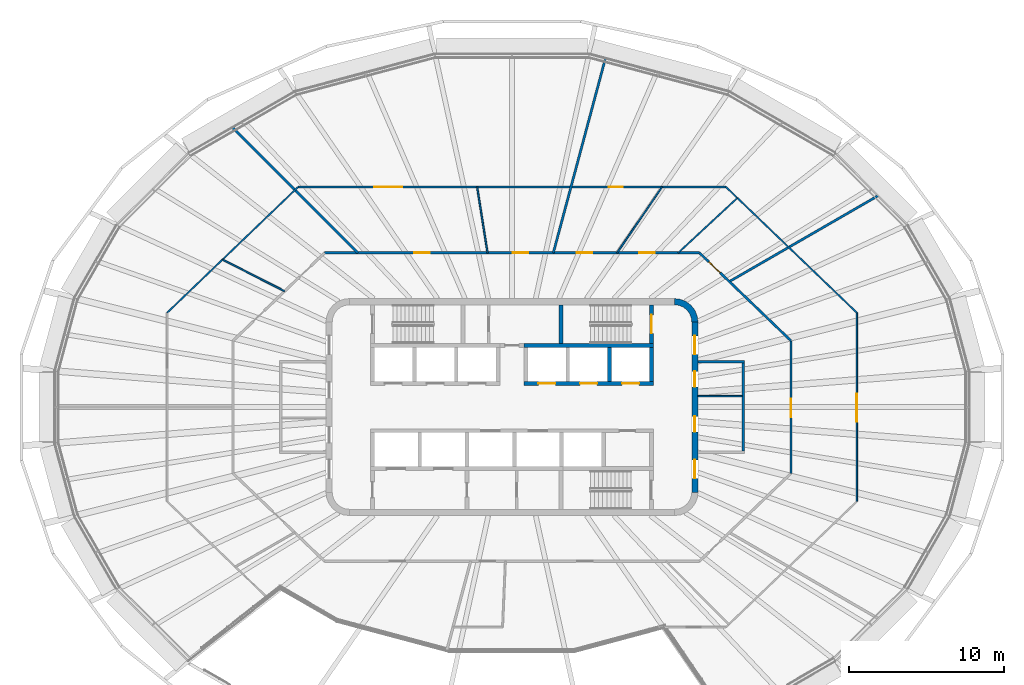
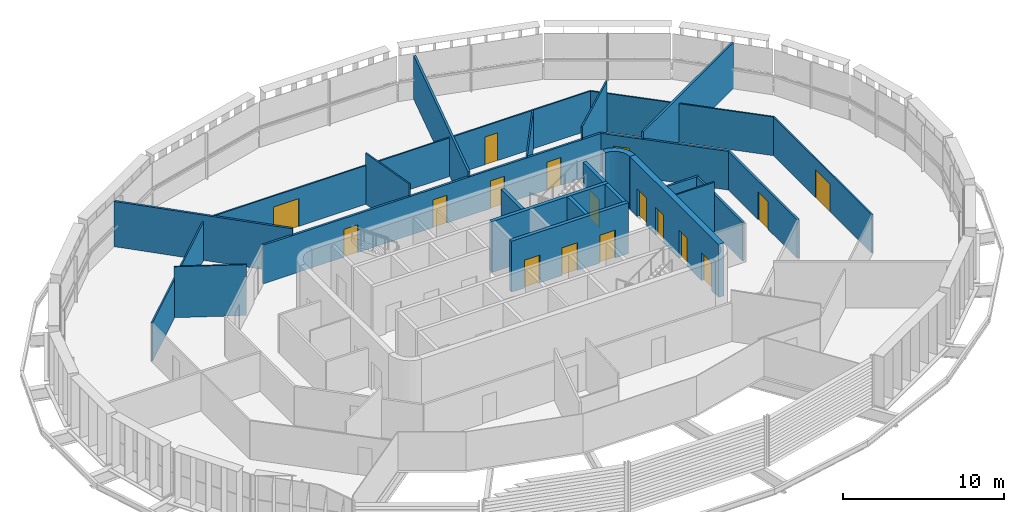
# One storey, part 12 of 19: 25 walls, 17 doors, 17 openings.
"""IFC4 building model written with IfcOpenShell, lengths in metres."""

from ifc_helpers import new_model, si_unit, direction, frame, frame_2d, origin, place, context, subcontext, project, spatial, polyline, rectangle, outline, extrude, material, layer, layer_set, type_object, element, fill, save


model = new_model("IFC4")

# Units and contexts
model_context = context("Model", 3, precision=1e-05, world=origin(), true_north=direction((0.0, 1.0)))
body_context = subcontext(model_context, "Body", "Model", "MODEL_VIEW")
ifc_project = project(units=[si_unit("LENGTHUNIT", "METRE"), si_unit("AREAUNIT", "SQUARE_METRE"), si_unit("VOLUMEUNIT", "CUBIC_METRE"), si_unit("PLANEANGLEUNIT", "RADIAN"), si_unit("MASSUNIT", "GRAM", prefix="KILO")], contexts=[model_context])

# Site, building, storey
site_placement = place(None, origin())
site = spatial("IfcSite", under=ifc_project, at=site_placement, CompositionType="ELEMENT")
building_placement = place(site_placement, origin())
building = spatial("IfcBuilding", under=site, at=building_placement, Name="Sahrelin Media Tower", CompositionType="ELEMENT")
storey_placement = place(building_placement, frame((0.0, 0.0, 275.0)))
storey = spatial("IfcBuildingStorey", under=building, at=storey_placement, Name="L60", CompositionType="ELEMENT", Elevation=275.0)

# Wall, openings, doors
ifc_material_1 = material(Name="Concrete C60/75", Category="concrete")
ifc_layer_1 = layer(ifc_material_1, 0.39990234375)
ifc_layer_set_1 = layer_set([ifc_layer_1], Name="Core wall 400")
wall_type_1 = type_object("IfcWallType", Name="Core wall 400", PredefinedType="SHEAR", material=ifc_layer_set_1)
wall_1_placement = place(storey_placement, frame((11.800048828125, -5.5, 0.0), z_axis=(0.0, 0.0, 1.0), x_axis=(0.0, 1.0, 0.0)))
wall_1 = element("IfcWall", 1, at=wall_1_placement, inside=storey, type_object=wall_type_1, Name="Core wall E L60", PredefinedType="SHEAR", context=body_context, shape_type="SweptSolid", body=[
    extrude(rectangle(XDim=11.0, YDim=0.39990234375, at=frame_2d((5.5, 0.0))), origin(), (0.0, 0.0, 1.0), 4.0),
])
opening_1_placement = place(wall_1_placement, frame((3.89990234375, 0.0, 0.0)))
opening_1 = element("IfcOpeningElement", 2, at=opening_1_placement, cuts=wall_1, Name="Opening L60-D12", PredefinedType="OPENING", context=body_context, shape_type="SweptSolid", body=[
    extrude(rectangle(XDim=1.0, YDim=2.10009765625, at=frame_2d((0.5, 1.050048828125))), frame((0.0, 0.199951171875, 0.0), z_axis=(0.0, -1.0, 0.0), x_axis=(1.0, 0.0, 0.0)), (0.0, 0.0, 1.0), 0.39990234375),
])
opening_2_placement = place(wall_1_placement, frame((6.800048828125, 0.0, 0.0)))
opening_2 = element("IfcOpeningElement", 3, at=opening_2_placement, cuts=wall_1, Name="Opening L60-D13", PredefinedType="OPENING", context=body_context, shape_type="SweptSolid", body=[
    extrude(rectangle(XDim=1.0, YDim=2.10009765625, at=frame_2d((0.5, 1.050048828125))), frame((0.0, 0.199951171875, 0.0), z_axis=(0.0, -1.0, 0.0), x_axis=(1.0, 0.0, 0.0)), (0.0, 0.0, 1.0), 0.39990234375),
])
opening_3_placement = place(wall_1_placement, frame((0.89990234375, 0.0, 0.0)))
opening_3 = element("IfcOpeningElement", 4, at=opening_3_placement, cuts=wall_1, Name="Opening L60-D16", PredefinedType="OPENING", context=body_context, shape_type="SweptSolid", body=[
    extrude(rectangle(XDim=1.199951171875, YDim=2.10009765625, at=frame_2d((0.60009765625, 1.050048828125))), frame((0.0, 0.199951171875, 0.0), z_axis=(0.0, -1.0, 0.0), x_axis=(1.0, 0.0, 0.0)), (0.0, 0.0, 1.0), 0.39990234375),
])
opening_4_placement = place(wall_1_placement, frame((8.89990234375, 0.0, 0.0)))
opening_4 = element("IfcOpeningElement", 5, at=opening_4_placement, cuts=wall_1, Name="Opening L60-D17", PredefinedType="OPENING", context=body_context, shape_type="SweptSolid", body=[
    extrude(rectangle(XDim=1.199951171875, YDim=2.10009765625, at=frame_2d((0.60009765625, 1.050048828125))), frame((0.0, 0.199951171875, 0.0), z_axis=(0.0, -1.0, 0.0), x_axis=(1.0, 0.0, 0.0)), (0.0, 0.0, 1.0), 0.39990234375),
])
ifc_material_2 = material(Name="Steel fire door leaf", Category="steel")
door_type_1 = type_object("IfcDoorType", Name="Fire door 1000 x 2100 EI 60", OperationType="NOTDEFINED", PredefinedType="DOOR", material=ifc_material_2)
door_1_placement = place(opening_1_placement, origin())
door_1 = element("IfcDoor", 6, at=door_1_placement, inside=storey, type_object=door_type_1, Name="Core room door", OperationType="SINGLE_SWING_RIGHT", OverallHeight=2.10009765625, OverallWidth=1.0, PredefinedType="DOOR", context=body_context, shape_type="SweptSolid", body=[
    extrude(rectangle(XDim=1.0, YDim=2.10009765625, at=frame_2d((0.5, 1.050048828125))), frame((0.0, 0.02490234375, 0.0), z_axis=(0.0, -1.0, 0.0), x_axis=(1.0, 0.0, 0.0)), (0.0, 0.0, 1.0), 0.050048828125),
])
fill(opening_1, door_1)
door_2_placement = place(opening_2_placement, origin())
door_2 = element("IfcDoor", 7, at=door_2_placement, inside=storey, type_object=door_type_1, Name="Core room door", OperationType="SINGLE_SWING_RIGHT", OverallHeight=2.10009765625, OverallWidth=1.0, PredefinedType="DOOR", context=body_context, shape_type="SweptSolid", body=[
    extrude(rectangle(XDim=1.0, YDim=2.10009765625, at=frame_2d((0.5, 1.050048828125))), frame((0.0, 0.02490234375, 0.0), z_axis=(0.0, -1.0, 0.0), x_axis=(1.0, 0.0, 0.0)), (0.0, 0.0, 1.0), 0.050048828125),
])
fill(opening_2, door_2)
door_type_2 = type_object("IfcDoorType", Name="Lobby door 1200 x 2100 EI 60", OperationType="NOTDEFINED", PredefinedType="DOOR", material=ifc_material_2)
door_3_placement = place(opening_3_placement, origin())
door_3 = element("IfcDoor", 8, at=door_3_placement, inside=storey, type_object=door_type_2, Name="Lobby door", OperationType="SINGLE_SWING_LEFT", OverallHeight=2.10009765625, OverallWidth=1.199951171875, PredefinedType="DOOR", context=body_context, shape_type="SweptSolid", body=[
    extrude(rectangle(XDim=1.199951171875, YDim=2.10009765625, at=frame_2d((0.60009765625, 1.050048828125))), frame((0.0, 0.02490234375, 0.0), z_axis=(0.0, -1.0, 0.0), x_axis=(1.0, 0.0, 0.0)), (0.0, 0.0, 1.0), 0.050048828125),
])
fill(opening_3, door_3)
door_4_placement = place(opening_4_placement, origin())
door_4 = element("IfcDoor", 9, at=door_4_placement, inside=storey, type_object=door_type_2, Name="Lobby door", OperationType="SINGLE_SWING_LEFT", OverallHeight=2.10009765625, OverallWidth=1.199951171875, PredefinedType="DOOR", context=body_context, shape_type="SweptSolid", body=[
    extrude(rectangle(XDim=1.199951171875, YDim=2.10009765625, at=frame_2d((0.60009765625, 1.050048828125))), frame((0.0, 0.02490234375, 0.0), z_axis=(0.0, -1.0, 0.0), x_axis=(1.0, 0.0, 0.0)), (0.0, 0.0, 1.0), 0.050048828125),
])
fill(opening_4, door_4)

# Walls
wall_2_placement = place(storey_placement, origin())
element("IfcWall", 10, at=wall_2_placement, inside=storey, type_object=wall_type_1, Name="Core wall corner NE L60", PredefinedType="SHEAR", context=body_context, shape_type="SweptSolid", body=[
    extrude(outline(polyline([(10.5, 7.0), (10.5, 6.596435546875), (10.78369140625, 6.55908203125), (11.04833984375, 6.44970703125), (11.275390625, 6.275390625), (11.44970703125, 6.04833984375), (11.55908203125, 5.78369140625), (11.596435546875, 5.5), (12.0, 5.5), (11.948974609375, 5.88818359375), (11.799072265625, 6.25), (11.560791015625, 6.560791015625), (11.25, 6.799072265625), (10.88818359375, 6.948974609375), (10.5, 7.0)])), origin(), (0.0, 0.0, 1.0), 4.0),
])
ifc_material_3 = material(Name="Fire-rated gypsum board partition")
ifc_layer_2 = layer(ifc_material_3, 0.10009765625)
ifc_layer_set_2 = layer_set([ifc_layer_2], Name="Fire-rated partition 100")
wall_type_2 = type_object("IfcWallType", Name="Fire-rated partition 100", PredefinedType="PARTITIONING", material=ifc_layer_set_2)
wall_3_placement = place(storey_placement, frame((12.0, 0.699951171875, 0.0), z_axis=(0.0, 0.0, 1.0), x_axis=(1.0, 0.0, 0.0)))
element("IfcWall", 11, at=wall_3_placement, inside=storey, type_object=wall_type_2, Name="Core room partition", PredefinedType="PARTITIONING", context=body_context, shape_type="SweptSolid", body=[
    extrude(rectangle(XDim=2.85009765625, YDim=0.10009765625, at=frame_2d((1.425048828125, 0.0))), origin(), (0.0, 0.0, 1.0), 3.85009765625),
])
ifc_layer_3 = layer(ifc_material_3, 0.14990234375)
ifc_layer_set_3 = layer_set([ifc_layer_3], Name="Fire-rated partition 150")
wall_type_3 = type_object("IfcWallType", Name="Fire-rated partition 150", PredefinedType="PARTITIONING", material=ifc_layer_set_3)
wall_4_placement = place(storey_placement, frame((14.925048828125, -2.85009765625, 0.0), z_axis=(0.0, 0.0, 1.0), x_axis=(0.0, 1.0, 0.0)))
element("IfcWall", 12, at=wall_4_placement, inside=storey, type_object=wall_type_3, Name="Core room fire partition", PredefinedType="PARTITIONING", context=body_context, shape_type="SweptSolid", body=[
    extrude(rectangle(XDim=5.7001953125, YDim=0.14990234375, at=frame_2d((2.85009765625, 0.0))), origin(), (0.0, 0.0, 1.0), 2.918212890625),
])
wall_5_placement = place(storey_placement, frame((12.0, 2.925048828125, 0.0), z_axis=(0.0, 0.0, 1.0), x_axis=(1.0, 0.0, 0.0)))
element("IfcWall", 13, at=wall_5_placement, inside=storey, type_object=wall_type_3, Name="Core room fire partition", PredefinedType="PARTITIONING", context=body_context, shape_type="SweptSolid", body=[
    extrude(rectangle(XDim=3.0, YDim=0.14990234375, at=frame_2d((1.5, 0.0))), origin(), (0.0, 0.0, 1.0), 2.927001953125),
])
wall_6_placement = place(storey_placement, frame((-18.0400390625, 18.0400390625, 0.0), z_axis=(0.0, 0.0, 1.0), x_axis=(0.707106781187, -0.707106781187, 0.0)))
element("IfcWall", 14, at=wall_6_placement, inside=storey, type_object=wall_type_3, Name="Wall", PredefinedType="PARTITIONING", context=body_context, shape_type="SweptSolid", body=[
    extrude(rectangle(XDim=11.4423828125, YDim=0.14990234375, at=frame_2d((5.72119140625, 0.0))), origin(), (0.0, 0.0, 1.0), 3.423583984375),
])

# Wall, opening, door
wall_7_placement = place(storey_placement, frame((12.094970703125, 9.948974609375, 0.0), z_axis=(0.0, 0.0, 1.0), x_axis=(0.721290181137, -0.692633001376, 0.0)))
wall_7 = element("IfcWall", 15, at=wall_7_placement, inside=storey, type_object=wall_type_3, Name="Wall", PredefinedType="PARTITIONING", context=body_context, shape_type="SweptSolid", body=[
    extrude(rectangle(XDim=8.18701171875, YDim=0.14990234375, at=frame_2d((4.093505859375, 0.0))), origin(), (0.0, 0.0, 1.0), 2.927001953125),
])
opening_5_placement = place(wall_7_placement, frame((0.83837890625, 0.0, 0.0)))
opening_5 = element("IfcOpeningElement", 16, at=opening_5_placement, cuts=wall_7, Name="Opening L60-D27", PredefinedType="OPENING", context=body_context, shape_type="SweptSolid", body=[
    extrude(rectangle(XDim=1.0, YDim=2.10009765625, at=frame_2d((0.5, 1.050048828125))), frame((0.0, 0.074951171875, 0.0), z_axis=(0.0, -1.0, 0.0), x_axis=(1.0, 0.0, 0.0)), (0.0, 0.0, 1.0), 0.14990234375),
])
door_5_placement = place(opening_5_placement, origin())
door_5 = element("IfcDoor", 17, at=door_5_placement, inside=storey, type_object=door_type_1, Name="Fire door", OperationType="SINGLE_SWING_RIGHT", OverallHeight=2.10009765625, OverallWidth=1.0, PredefinedType="DOOR", context=body_context, shape_type="SweptSolid", body=[
    extrude(rectangle(XDim=1.0, YDim=2.10009765625, at=frame_2d((0.5, 1.050048828125))), frame((0.0, 0.02490234375, 0.0), z_axis=(0.0, -1.0, 0.0), x_axis=(1.0, 0.0, 0.0)), (0.0, 0.0, 1.0), 0.050048828125),
])
fill(opening_5, door_5)

# Wall, openings, doors
wall_8_placement = place(storey_placement, frame((-12.094970703125, 9.948974609375, 0.0), z_axis=(0.0, 0.0, 1.0), x_axis=(1.0, 0.0, 0.0)))
wall_8 = element("IfcWall", 18, at=wall_8_placement, inside=storey, type_object=wall_type_3, Name="Wall", PredefinedType="PARTITIONING", context=body_context, shape_type="SweptSolid", body=[
    extrude(rectangle(XDim=24.18994140625, YDim=0.14990234375, at=frame_2d((12.094970703125, 0.0))), origin(), (0.0, 0.0, 1.0), 2.927001953125),
])
opening_6_placement = place(wall_8_placement, frame((20.296875, 0.0, 0.0)))
opening_6 = element("IfcOpeningElement", 19, at=opening_6_placement, cuts=wall_8, Name="Opening L60-D28", PredefinedType="OPENING", context=body_context, shape_type="SweptSolid", body=[
    extrude(rectangle(XDim=1.0, YDim=2.10009765625, at=frame_2d((0.5, 1.050048828125))), frame((0.0, 0.074951171875, 0.0), z_axis=(0.0, -1.0, 0.0), x_axis=(1.0, 0.0, 0.0)), (0.0, 0.0, 1.0), 0.14990234375),
])
opening_7_placement = place(wall_8_placement, frame((16.26904296875, 0.0, 0.0)))
opening_7 = element("IfcOpeningElement", 20, at=opening_7_placement, cuts=wall_8, Name="Opening L60-D29", PredefinedType="OPENING", context=body_context, shape_type="SweptSolid", body=[
    extrude(rectangle(XDim=1.0, YDim=2.10009765625, at=frame_2d((0.5, 1.050048828125))), frame((0.0, 0.074951171875, 0.0), z_axis=(0.0, -1.0, 0.0), x_axis=(1.0, 0.0, 0.0)), (0.0, 0.0, 1.0), 0.14990234375),
])
opening_8_placement = place(wall_8_placement, frame((12.139892578125, 0.0, 0.0)))
opening_8 = element("IfcOpeningElement", 21, at=opening_8_placement, cuts=wall_8, Name="Opening L60-D31", PredefinedType="OPENING", context=body_context, shape_type="SweptSolid", body=[
    extrude(rectangle(XDim=1.0, YDim=2.10009765625, at=frame_2d((0.5, 1.050048828125))), frame((0.0, 0.074951171875, 0.0), z_axis=(0.0, -1.0, 0.0), x_axis=(1.0, 0.0, 0.0)), (0.0, 0.0, 1.0), 0.14990234375),
])
opening_9_placement = place(wall_8_placement, frame((5.781982421875, 0.0, 0.0)))
opening_9 = element("IfcOpeningElement", 22, at=opening_9_placement, cuts=wall_8, Name="Opening L60-D32", PredefinedType="OPENING", context=body_context, shape_type="SweptSolid", body=[
    extrude(rectangle(XDim=1.0, YDim=2.10009765625, at=frame_2d((0.5, 1.050048828125))), frame((0.0, 0.074951171875, 0.0), z_axis=(0.0, -1.0, 0.0), x_axis=(1.0, 0.0, 0.0)), (0.0, 0.0, 1.0), 0.14990234375),
])
door_6_placement = place(opening_6_placement, origin())
door_6 = element("IfcDoor", 23, at=door_6_placement, inside=storey, type_object=door_type_1, Name="Fire door", OperationType="SINGLE_SWING_LEFT", OverallHeight=2.10009765625, OverallWidth=1.0, PredefinedType="DOOR", context=body_context, shape_type="SweptSolid", body=[
    extrude(rectangle(XDim=1.0, YDim=2.10009765625, at=frame_2d((0.5, 1.050048828125))), frame((0.0, 0.02490234375, 0.0), z_axis=(0.0, -1.0, 0.0), x_axis=(1.0, 0.0, 0.0)), (0.0, 0.0, 1.0), 0.050048828125),
])
fill(opening_6, door_6)
door_7_placement = place(opening_7_placement, origin())
door_7 = element("IfcDoor", 24, at=door_7_placement, inside=storey, type_object=door_type_1, Name="Fire door", OperationType="SINGLE_SWING_LEFT", OverallHeight=2.10009765625, OverallWidth=1.0, PredefinedType="DOOR", context=body_context, shape_type="SweptSolid", body=[
    extrude(rectangle(XDim=1.0, YDim=2.10009765625, at=frame_2d((0.5, 1.050048828125))), frame((0.0, 0.02490234375, 0.0), z_axis=(0.0, -1.0, 0.0), x_axis=(1.0, 0.0, 0.0)), (0.0, 0.0, 1.0), 0.050048828125),
])
fill(opening_7, door_7)
door_8_placement = place(opening_8_placement, origin())
door_8 = element("IfcDoor", 25, at=door_8_placement, inside=storey, type_object=door_type_1, Name="Fire door", OperationType="SINGLE_SWING_LEFT", OverallHeight=2.10009765625, OverallWidth=1.0, PredefinedType="DOOR", context=body_context, shape_type="SweptSolid", body=[
    extrude(rectangle(XDim=1.0, YDim=2.10009765625, at=frame_2d((0.5, 1.050048828125))), frame((0.0, 0.02490234375, 0.0), z_axis=(0.0, -1.0, 0.0), x_axis=(1.0, 0.0, 0.0)), (0.0, 0.0, 1.0), 0.050048828125),
])
fill(opening_8, door_8)
door_9_placement = place(opening_9_placement, origin())
door_9 = element("IfcDoor", 26, at=door_9_placement, inside=storey, type_object=door_type_1, Name="Fire door", OperationType="SINGLE_SWING_LEFT", OverallHeight=2.10009765625, OverallWidth=1.0, PredefinedType="DOOR", context=body_context, shape_type="SweptSolid", body=[
    extrude(rectangle(XDim=1.0, YDim=2.10009765625, at=frame_2d((0.5, 1.050048828125))), frame((0.0, 0.02490234375, 0.0), z_axis=(0.0, -1.0, 0.0), x_axis=(1.0, 0.0, 0.0)), (0.0, 0.0, 1.0), 0.050048828125),
])
fill(opening_9, door_9)

# Walls
wall_9_placement = place(storey_placement, frame((14.02392578125, 8.096923828125, 0.0), z_axis=(0.0, 0.0, 1.0), x_axis=(0.866044269757, 0.499967321754, 0.0)))
element("IfcWall", 27, at=wall_9_placement, inside=storey, type_object=wall_type_3, Name="Wall", PredefinedType="PARTITIONING", context=body_context, shape_type="SweptSolid", body=[
    extrude(rectangle(XDim=11.104736328125, YDim=0.14990234375, at=frame_2d((5.55224609375, 0.0))), origin(), (0.0, 0.0, 1.0), 3.47509765625),
])
wall_10_placement = place(storey_placement, frame((2.666015625, 9.948974609375, 0.0), z_axis=(0.0, 0.0, 1.0), x_axis=(0.258770502435, 0.96593883195, 0.0)))
element("IfcWall", 28, at=wall_10_placement, inside=storey, type_object=wall_type_3, Name="Wall", PredefinedType="PARTITIONING", context=body_context, shape_type="SweptSolid", body=[
    extrude(rectangle(XDim=13.0009765625, YDim=0.14990234375, at=frame_2d((6.50048828125, 0.0))), origin(), (0.0, 0.0, 1.0), 3.3017578125),
])

# Wall, opening, door
wall_11_placement = place(storey_placement, frame((18.0, -4.278076171875, 0.0), z_axis=(0.0, 0.0, 1.0), x_axis=(0.0, 1.0, 0.0)))
wall_11 = element("IfcWall", 29, at=wall_11_placement, inside=storey, type_object=wall_type_3, Name="Wall", PredefinedType="PARTITIONING", context=body_context, shape_type="SweptSolid", body=[
    extrude(rectangle(XDim=8.55615234375, YDim=0.14990234375, at=frame_2d((4.278076171875, 0.0))), origin(), (0.0, 0.0, 1.0), 2.918212890625),
])
opening_10_placement = place(wall_11_placement, frame((3.62744140625, 0.0, 0.0)))
opening_10 = element("IfcOpeningElement", 30, at=opening_10_placement, cuts=wall_11, Name="Opening L60-D25", PredefinedType="OPENING", context=body_context, shape_type="SweptSolid", body=[
    extrude(rectangle(XDim=1.199951171875, YDim=2.10009765625, at=frame_2d((0.60009765625, 1.050048828125))), frame((0.0, 0.074951171875, 0.0), z_axis=(0.0, -1.0, 0.0), x_axis=(1.0, 0.0, 0.0)), (0.0, 0.0, 1.0), 0.14990234375),
])
door_type_3 = type_object("IfcDoorType", Name="Service double door 1200 x 2100 EI 60", OperationType="DOUBLE_DOOR_SINGLE_SWING", PredefinedType="DOOR", material=ifc_material_2)
door_10_placement = place(opening_10_placement, origin())
door_10 = element("IfcDoor", 31, at=door_10_placement, inside=storey, type_object=door_type_3, Name="Service double door", OperationType="DOUBLE_DOOR_SINGLE_SWING", OverallHeight=2.10009765625, OverallWidth=1.199951171875, PredefinedType="DOOR", context=body_context, shape_type="SweptSolid", body=[
    extrude(rectangle(XDim=1.199951171875, YDim=2.10009765625, at=frame_2d((0.60009765625, 1.050048828125))), frame((0.0, 0.02490234375, 0.0), z_axis=(0.0, -1.0, 0.0), x_axis=(1.0, 0.0, 0.0)), (0.0, 0.0, 1.0), 0.050048828125),
])
fill(opening_10, door_10)

# Wall, openings, doors
ifc_layer_4 = layer(ifc_material_1, 0.25)
ifc_layer_set_4 = layer_set([ifc_layer_4], Name="Lift shaft wall 250")
wall_type_4 = type_object("IfcWallType", Name="Lift shaft wall 250", PredefinedType="SOLIDWALL", material=ifc_layer_set_4)
wall_12_placement = place(storey_placement, frame((0.77490234375, 1.52490234375, 0.0), z_axis=(0.0, 0.0, 1.0), x_axis=(1.0, 0.0, 0.0)))
wall_12 = element("IfcWall", 32, at=wall_12_placement, inside=storey, type_object=wall_type_4, Name="Lift shaft wall", PredefinedType="SOLIDWALL", context=body_context, shape_type="SweptSolid", body=[
    extrude(rectangle(XDim=8.35009765625, YDim=0.25, at=frame_2d((4.175048828125, 0.0))), origin(), (0.0, 0.0, 1.0), 3.85009765625),
])
opening_11_placement = place(wall_12_placement, frame((0.925048828125, 0.0, 0.0)))
opening_11 = element("IfcOpeningElement", 33, at=opening_11_placement, cuts=wall_12, Name="Opening L60-LD-HR4", PredefinedType="OPENING", context=body_context, shape_type="SweptSolid", body=[
    extrude(rectangle(XDim=1.10009765625, YDim=2.10009765625, at=frame_2d((0.550048828125, 1.050048828125))), frame((0.0, 0.125, 0.0), z_axis=(0.0, -1.0, 0.0), x_axis=(1.0, 0.0, 0.0)), (0.0, 0.0, 1.0), 0.25),
])
opening_12_placement = place(wall_12_placement, frame((3.625, 0.0, 0.0)))
opening_12 = element("IfcOpeningElement", 34, at=opening_12_placement, cuts=wall_12, Name="Opening L60-LD-HR5", PredefinedType="OPENING", context=body_context, shape_type="SweptSolid", body=[
    extrude(rectangle(XDim=1.10009765625, YDim=2.10009765625, at=frame_2d((0.550048828125, 1.050048828125))), frame((0.0, 0.125, 0.0), z_axis=(0.0, -1.0, 0.0), x_axis=(1.0, 0.0, 0.0)), (0.0, 0.0, 1.0), 0.25),
])
opening_13_placement = place(wall_12_placement, frame((6.324951171875, 0.0, 0.0)))
opening_13 = element("IfcOpeningElement", 35, at=opening_13_placement, cuts=wall_12, Name="Opening L60-LD-HR6", PredefinedType="OPENING", context=body_context, shape_type="SweptSolid", body=[
    extrude(rectangle(XDim=1.10009765625, YDim=2.10009765625, at=frame_2d((0.550048828125, 1.050048828125))), frame((0.0, 0.125, 0.0), z_axis=(0.0, -1.0, 0.0), x_axis=(1.0, 0.0, 0.0)), (0.0, 0.0, 1.0), 0.25),
])
ifc_material_4 = material(Name="Stainless steel", Category="steel")
door_type_4 = type_object("IfcDoorType", Name="Lift landing door 1100 x 2100 EI 120", OperationType="DOUBLE_DOOR_SLIDING", PredefinedType="DOOR", material=ifc_material_4)
door_11_placement = place(opening_11_placement, origin())
door_11 = element("IfcDoor", 36, at=door_11_placement, inside=storey, type_object=door_type_4, Name="Lift landing door HR4", OperationType="DOUBLE_DOOR_SLIDING", OverallHeight=2.10009765625, OverallWidth=1.10009765625, PredefinedType="DOOR", context=body_context, shape_type="SweptSolid", body=[
    extrude(rectangle(XDim=1.10009765625, YDim=2.10009765625, at=frame_2d((0.550048828125, 1.050048828125))), frame((0.0, 0.02490234375, 0.0), z_axis=(0.0, -1.0, 0.0), x_axis=(1.0, 0.0, 0.0)), (0.0, 0.0, 1.0), 0.050048828125),
])
fill(opening_11, door_11)
door_12_placement = place(opening_12_placement, origin())
door_12 = element("IfcDoor", 37, at=door_12_placement, inside=storey, type_object=door_type_4, Name="Lift landing door HR5", OperationType="DOUBLE_DOOR_SLIDING", OverallHeight=2.10009765625, OverallWidth=1.10009765625, PredefinedType="DOOR", context=body_context, shape_type="SweptSolid", body=[
    extrude(rectangle(XDim=1.10009765625, YDim=2.10009765625, at=frame_2d((0.550048828125, 1.050048828125))), frame((0.0, 0.02490234375, 0.0), z_axis=(0.0, -1.0, 0.0), x_axis=(1.0, 0.0, 0.0)), (0.0, 0.0, 1.0), 0.050048828125),
])
fill(opening_12, door_12)
door_13_placement = place(opening_13_placement, origin())
door_13 = element("IfcDoor", 38, at=door_13_placement, inside=storey, type_object=door_type_4, Name="Lift landing door HR6", OperationType="DOUBLE_DOOR_SLIDING", OverallHeight=2.10009765625, OverallWidth=1.10009765625, PredefinedType="DOOR", context=body_context, shape_type="SweptSolid", body=[
    extrude(rectangle(XDim=1.10009765625, YDim=2.10009765625, at=frame_2d((0.550048828125, 1.050048828125))), frame((0.0, 0.02490234375, 0.0), z_axis=(0.0, -1.0, 0.0), x_axis=(1.0, 0.0, 0.0)), (0.0, 0.0, 1.0), 0.050048828125),
])
fill(opening_13, door_13)

# Walls
wall_13_placement = place(storey_placement, frame((0.77490234375, 3.97509765625, 0.0), z_axis=(0.0, 0.0, 1.0), x_axis=(1.0, 0.0, 0.0)))
element("IfcWall", 39, at=wall_13_placement, inside=storey, type_object=wall_type_4, Name="Lift shaft wall", PredefinedType="SOLIDWALL", context=body_context, shape_type="SweptSolid", body=[
    extrude(rectangle(XDim=8.35009765625, YDim=0.25, at=frame_2d((4.175048828125, 0.0))), origin(), (0.0, 0.0, 1.0), 3.85009765625),
])
for number, where, z_axis, x_axis, name in (
    (40, (9.0, 1.64990234375, 0.0), (0.0, 0.0, 1.0), (0.0, 1.0, 0.0), "Lift shaft wall"),
    (41, (6.300048828125, 1.64990234375, 0.0), (0.0, 0.0, 1.0), (0.0, 1.0, 0.0), "Lift shaft wall"),
):
    element("IfcWall", number, at=place(storey_placement, frame(where, z_axis=z_axis, x_axis=x_axis)), inside=storey, type_object=wall_type_4, Name=name, PredefinedType="SOLIDWALL", context=body_context, shape_type="SweptSolid", body=[
        extrude(rectangle(XDim=2.2001953125, YDim=0.25, at=frame_2d((1.10009765625, 0.0))), origin(), (0.0, 0.0, 1.0), 3.85009765625),
    ])
ifc_material_5 = material(Name="Gypsum board partition")
ifc_layer_5 = layer(ifc_material_5, 0.10009765625)
ifc_layer_set_5 = layer_set([ifc_layer_5], Name="Partition 100")
wall_type_5 = type_object("IfcWallType", Name="Partition 100", PredefinedType="PARTITIONING", material=ifc_layer_set_5)
wall_14_placement = place(storey_placement, frame((-2.2490234375, 14.198974609375, 0.0), z_axis=(0.0, 0.0, 1.0), x_axis=(0.156425811894, -0.98768971108, 0.0)))
element("IfcWall", 42, at=wall_14_placement, inside=storey, type_object=wall_type_5, Name="Wall", PredefinedType="PARTITIONING", context=body_context, shape_type="SweptSolid", body=[
    extrude(rectangle(XDim=4.302978515625, YDim=0.10009765625, at=frame_2d((2.1513671875, 0.0))), origin(), (0.0, 0.0, 1.0), 3.85009765625),
])
wall_15_placement = place(storey_placement, frame((13.804931640625, 14.198974609375, 0.0), z_axis=(0.0, 0.0, 1.0), x_axis=(0.721245635319, -0.692679387259, 0.0)))
element("IfcWall", 43, at=wall_15_placement, inside=storey, type_object=wall_type_5, Name="Wall", PredefinedType="PARTITIONING", context=body_context, shape_type="SweptSolid", body=[
    extrude(rectangle(XDim=11.708740234375, YDim=0.10009765625, at=frame_2d((5.8544921875, 0.0))), origin(), (0.0, 0.0, 1.0), 2.927001953125),
])
wall_16_placement = place(storey_placement, frame((-18.679931640625, 9.51806640625, 0.0), z_axis=(0.0, 0.0, 1.0), x_axis=(0.890982762067, -0.454037132512, 0.0)))
element("IfcWall", 44, at=wall_16_placement, inside=storey, type_object=wall_type_5, Name="Wall", PredefinedType="PARTITIONING", context=body_context, shape_type="SweptSolid", body=[
    extrude(rectangle(XDim=4.49951171875, YDim=0.10009765625, at=frame_2d((2.249755859375, 0.0))), origin(), (0.0, 0.0, 1.0), 3.85009765625),
])

# Wall, openings, doors
wall_17_placement = place(storey_placement, frame((-13.804931640625, 14.198974609375, 0.0), z_axis=(0.0, 0.0, 1.0), x_axis=(1.0, 0.0, 0.0)))
wall_17 = element("IfcWall", 45, at=wall_17_placement, inside=storey, type_object=wall_type_5, Name="Wall", PredefinedType="PARTITIONING", context=body_context, shape_type="SweptSolid", body=[
    extrude(rectangle(XDim=27.60986328125, YDim=0.10009765625, at=frame_2d((13.804931640625, 0.0))), origin(), (0.0, 0.0, 1.0), 2.927001953125),
])
opening_14_placement = place(wall_17_placement, frame((20.047119140625, 0.0, 0.0)))
opening_14 = element("IfcOpeningElement", 46, at=opening_14_placement, cuts=wall_17, Name="Opening L60-D30", PredefinedType="OPENING", context=body_context, shape_type="SweptSolid", body=[
    extrude(rectangle(XDim=0.89990234375, YDim=2.10009765625, at=frame_2d((0.449951171875, 1.050048828125))), frame((0.0, 0.050048828125, 0.0), z_axis=(0.0, -1.0, 0.0), x_axis=(1.0, 0.0, 0.0)), (0.0, 0.0, 1.0), 0.10009765625),
])
opening_15_placement = place(wall_17_placement, frame((4.92822265625, 0.0, 0.0)))
opening_15 = element("IfcOpeningElement", 47, at=opening_15_placement, cuts=wall_17, Name="Opening L60-D33", PredefinedType="OPENING", context=body_context, shape_type="SweptSolid", body=[
    extrude(rectangle(XDim=1.800048828125, YDim=2.10009765625, at=frame_2d((0.89990234375, 1.050048828125))), frame((0.0, 0.050048828125, 0.0), z_axis=(0.0, -1.0, 0.0), x_axis=(1.0, 0.0, 0.0)), (0.0, 0.0, 1.0), 0.10009765625),
])
ifc_material_6 = material(Name="Timber door leaf", Category="wood")
door_type_5 = type_object("IfcDoorType", Name="Double door 1800 x 2100", OperationType="DOUBLE_DOOR_SINGLE_SWING", PredefinedType="DOOR", material=ifc_material_6)
door_14_placement = place(opening_15_placement, origin())
door_14 = element("IfcDoor", 48, at=door_14_placement, inside=storey, type_object=door_type_5, Name="Double door", OperationType="DOUBLE_DOOR_SINGLE_SWING", OverallHeight=2.10009765625, OverallWidth=1.800048828125, PredefinedType="DOOR", context=body_context, shape_type="SweptSolid", body=[
    extrude(rectangle(XDim=1.800048828125, YDim=2.10009765625, at=frame_2d((0.89990234375, 1.050048828125))), frame((0.0, 0.02490234375, 0.0), z_axis=(0.0, -1.0, 0.0), x_axis=(1.0, 0.0, 0.0)), (0.0, 0.0, 1.0), 0.050048828125),
])
fill(opening_15, door_14)
door_type_6 = type_object("IfcDoorType", Name="Single door 900 x 2100", OperationType="NOTDEFINED", PredefinedType="DOOR", material=ifc_material_6)
door_15_placement = place(opening_14_placement, origin())
door_15 = element("IfcDoor", 49, at=door_15_placement, inside=storey, type_object=door_type_6, Name="Single door", OperationType="SINGLE_SWING_RIGHT", OverallHeight=2.10009765625, OverallWidth=0.89990234375, PredefinedType="DOOR", context=body_context, shape_type="SweptSolid", body=[
    extrude(rectangle(XDim=0.89990234375, YDim=2.10009765625, at=frame_2d((0.449951171875, 1.050048828125))), frame((0.0, 0.02490234375, 0.0), z_axis=(0.0, -1.0, 0.0), x_axis=(1.0, 0.0, 0.0)), (0.0, 0.0, 1.0), 0.050048828125),
])
fill(opening_14, door_15)

# Walls
wall_18_placement = place(storey_placement, frame((10.722900390625, 9.948974609375, 0.0), z_axis=(0.0, 0.0, 1.0), x_axis=(0.733025495712, 0.680201163359, 0.0)))
element("IfcWall", 50, at=wall_18_placement, inside=storey, type_object=wall_type_5, Name="Wall", PredefinedType="PARTITIONING", context=body_context, shape_type="SweptSolid", body=[
    extrude(rectangle(XDim=5.208740234375, YDim=0.10009765625, at=frame_2d((2.6044921875, 0.0))), origin(), (0.0, 0.0, 1.0), 3.85009765625),
])
wall_19_placement = place(storey_placement, frame((-22.25, 6.089111328125, 0.0), z_axis=(0.0, 0.0, 1.0), x_axis=(0.721439820897, 0.69247713668, 0.0)))
element("IfcWall", 51, at=wall_19_placement, inside=storey, type_object=wall_type_5, Name="Wall", PredefinedType="PARTITIONING", context=body_context, shape_type="SweptSolid", body=[
    extrude(rectangle(XDim=11.70849609375, YDim=0.10009765625, at=frame_2d((5.854248046875, 0.0))), origin(), (0.0, 0.0, 1.0), 2.927001953125),
])
wall_20_placement = place(storey_placement, frame((6.782958984375, 9.948974609375, 0.0), z_axis=(0.0, 0.0, 1.0), x_axis=(0.563366278439, 0.826207259904, 0.0)))
element("IfcWall", 52, at=wall_20_placement, inside=storey, type_object=wall_type_5, Name="Wall", PredefinedType="PARTITIONING", context=body_context, shape_type="SweptSolid", body=[
    extrude(rectangle(XDim=5.14404296875, YDim=0.10009765625, at=frame_2d((2.572021484375, 0.0))), origin(), (0.0, 0.0, 1.0), 2.927001953125),
])

# Wall, opening, door
wall_21_placement = place(storey_placement, frame((22.25, -6.089111328125, 0.0), z_axis=(0.0, 0.0, 1.0), x_axis=(0.0, 1.0, 0.0)))
wall_21 = element("IfcWall", 53, at=wall_21_placement, inside=storey, type_object=wall_type_5, Name="Wall", PredefinedType="PARTITIONING", context=body_context, shape_type="SweptSolid", body=[
    extrude(rectangle(XDim=12.17822265625, YDim=0.10009765625, at=frame_2d((6.089111328125, 0.0))), origin(), (0.0, 0.0, 1.0), 2.918212890625),
])
opening_16_placement = place(wall_21_placement, frame((5.138671875, 0.0, 0.0)))
opening_16 = element("IfcOpeningElement", 54, at=opening_16_placement, cuts=wall_21, Name="Opening L60-D26", PredefinedType="OPENING", context=body_context, shape_type="SweptSolid", body=[
    extrude(rectangle(XDim=1.800048828125, YDim=2.10009765625, at=frame_2d((0.89990234375, 1.050048828125))), frame((0.0, 0.050048828125, 0.0), z_axis=(0.0, -1.0, 0.0), x_axis=(1.0, 0.0, 0.0)), (0.0, 0.0, 1.0), 0.10009765625),
])
door_16_placement = place(opening_16_placement, origin())
door_16 = element("IfcDoor", 55, at=door_16_placement, inside=storey, type_object=door_type_5, Name="Double door", OperationType="DOUBLE_DOOR_SINGLE_SWING", OverallHeight=2.10009765625, OverallWidth=1.800048828125, PredefinedType="DOOR", context=body_context, shape_type="SweptSolid", body=[
    extrude(rectangle(XDim=1.800048828125, YDim=2.10009765625, at=frame_2d((0.89990234375, 1.050048828125))), frame((0.0, 0.02490234375, 0.0), z_axis=(0.0, -1.0, 0.0), x_axis=(1.0, 0.0, 0.0)), (0.0, 0.0, 1.0), 0.050048828125),
])
fill(opening_16, door_16)

ifc_layer_6 = layer(ifc_material_1, 0.25)
ifc_layer_set_6 = layer_set([ifc_layer_6], Name="Stair enclosure wall 250")
wall_type_6 = type_object("IfcWallType", Name="Stair enclosure wall 250", PredefinedType="SOLIDWALL", material=ifc_layer_set_6)
wall_22_placement = place(storey_placement, frame((9.0, 4.10009765625, 0.0), z_axis=(0.0, 0.0, 1.0), x_axis=(0.0, 1.0, 0.0)))
wall_22 = element("IfcWall", 56, at=wall_22_placement, inside=storey, type_object=wall_type_6, Name="Stair enclosure wall", PredefinedType="SOLIDWALL", context=body_context, shape_type="SweptSolid", body=[
    extrude(rectangle(XDim=2.5, YDim=0.25, at=frame_2d((1.25, 0.0))), origin(), (0.0, 0.0, 1.0), 3.85009765625),
])
opening_17_placement = place(wall_22_placement, frame((0.64990234375, 0.0, 0.0)))
opening_17 = element("IfcOpeningElement", 57, at=opening_17_placement, cuts=wall_22, Name="Opening L60-D02", PredefinedType="OPENING", context=body_context, shape_type="SweptSolid", body=[
    extrude(rectangle(XDim=1.199951171875, YDim=2.10009765625, at=frame_2d((0.60009765625, 1.050048828125))), frame((0.0, 0.125, 0.0), z_axis=(0.0, -1.0, 0.0), x_axis=(1.0, 0.0, 0.0)), (0.0, 0.0, 1.0), 0.25),
])
door_type_7 = type_object("IfcDoorType", Name="Stair door 1200 x 2100 EI 120", OperationType="NOTDEFINED", PredefinedType="DOOR", material=ifc_material_2)
door_17_placement = place(opening_17_placement, origin())
door_17 = element("IfcDoor", 58, at=door_17_placement, inside=storey, type_object=door_type_7, Name="Stair door ST3", OperationType="SINGLE_SWING_LEFT", OverallHeight=2.10009765625, OverallWidth=1.199951171875, PredefinedType="DOOR", context=body_context, shape_type="SweptSolid", body=[
    extrude(rectangle(XDim=1.199951171875, YDim=2.10009765625, at=frame_2d((0.60009765625, 1.050048828125))), frame((0.0, 0.02490234375, 0.0), z_axis=(0.0, -1.0, 0.0), x_axis=(1.0, 0.0, 0.0)), (0.0, 0.0, 1.0), 0.050048828125),
])
fill(opening_17, door_17)

# Wall
wall_23_placement = place(storey_placement, frame((3.14990234375, 4.10009765625, 0.0), z_axis=(0.0, 0.0, 1.0), x_axis=(0.0, 1.0, 0.0)))
element("IfcWall", 59, at=wall_23_placement, inside=storey, type_object=wall_type_6, Name="Stair enclosure wall", PredefinedType="SOLIDWALL", context=body_context, shape_type="SweptSolid", body=[
    extrude(rectangle(XDim=2.5, YDim=0.25, at=frame_2d((1.25, 0.0))), origin(), (0.0, 0.0, 1.0), 3.85009765625),
])

save(model, "model.ifc")
